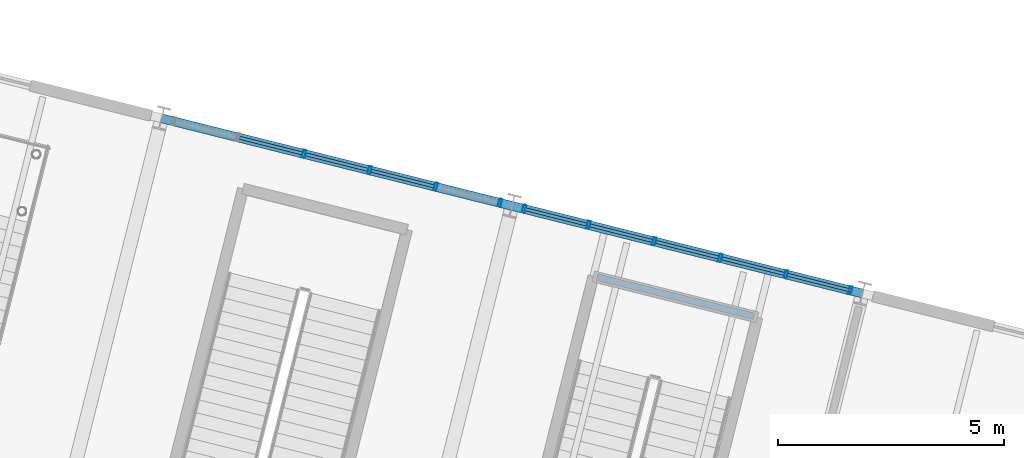
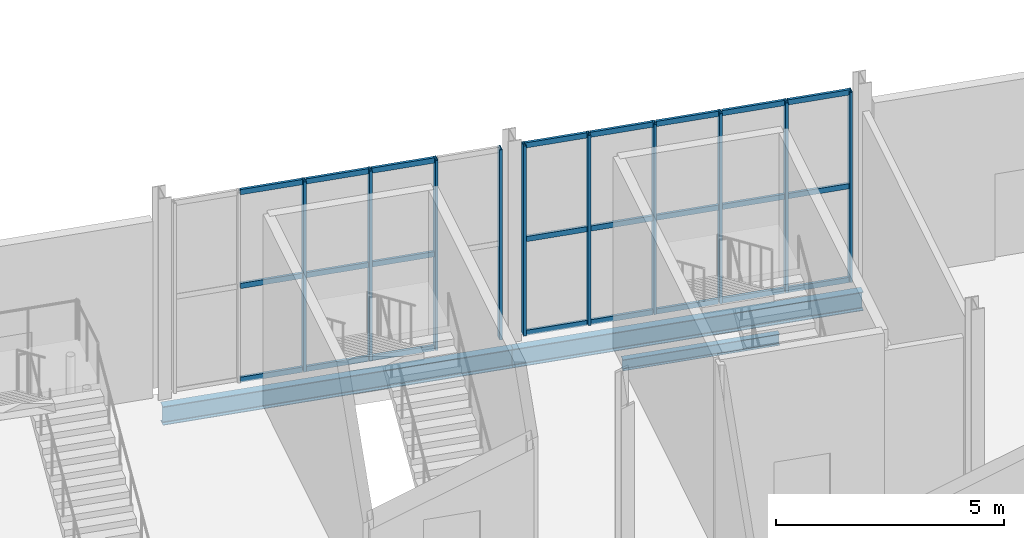
# One storey, part 102 of 158: 34 members, 3 beams, 2 elements without a shape of their own.
"""IFC4 building model written with IfcOpenShell, lengths in metres."""

from ifc_helpers import new_model, si_unit, derived_unit, direction, frame, origin, origin_2d, place, context, subcontext, project, spatial, hollow_rectangle, i_section, extrude, material, material_profile, profile_set, type_object, element, aggregate, save


model = new_model("IFC4")

# Units and contexts
model_context = context("Model", 3, precision=1e-05, world=origin(), true_north=direction((0.0, 1.0)))
body_context = subcontext(model_context, "Body", "Model", "MODEL_VIEW")
ifc_project = project(units=[si_unit("LENGTHUNIT", "METRE"), si_unit("AREAUNIT", "SQUARE_METRE"), si_unit("VOLUMEUNIT", "CUBIC_METRE"), si_unit("PLANEANGLEUNIT", "RADIAN"), si_unit("MASSUNIT", "GRAM", prefix="KILO"), si_unit("THERMODYNAMICTEMPERATUREUNIT", "KELVIN"), si_unit("TIMEUNIT", "SECOND"), derived_unit("THERMALTRANSMITTANCEUNIT", [(si_unit("MASSUNIT", "GRAM", prefix="KILO"), 1), (si_unit("THERMODYNAMICTEMPERATUREUNIT", "KELVIN"), -1), (si_unit("TIMEUNIT", "SECOND"), -3)])], contexts=[model_context])

# Site, building, storey
site_placement = place(None, origin())
site = spatial("IfcSite", under=ifc_project, at=site_placement, CompositionType="ELEMENT")
building_placement = place(site_placement, origin())
building = spatial("IfcBuilding", under=site, at=building_placement, Name="Cambertide Market Hall", CompositionType="ELEMENT")
storey_placement = place(building_placement, origin())
storey = spatial("IfcBuildingStorey", under=building, at=storey_placement, Name="L01", CompositionType="ELEMENT", Elevation=0.0)

# Curtain wall, members
ifc_material_1 = material(Name="Marine Anodized Aluminium 6063-T6 AA25", Category="aluminium")
curtain_wall_type = type_object("IfcCurtainWallType", Name="Cooking School Ground Showcase Wall", PredefinedType="USERDEFINED", material=ifc_material_1)
curtain_wall_1_placement = place(storey_placement, origin())
curtain_wall_1 = element("IfcCurtainWall", 1, at=curtain_wall_1_placement, inside=storey, type_object=curtain_wall_type, Name="Level 1 Curtain Wall CW-V4N-L01-4", ObjectType="UNITIZED CURTAIN WALL", PredefinedType="USERDEFINED")
ifc_material_2 = material(Name="Champagne Marine Anodized Aluminium 6063-T6 AA25", Category="aluminium")
ifc_material_profile_1 = material_profile(ifc_material_2, hollow_rectangle(XDim=0.06494140625, YDim=0.179931640625, WallThickness=0.00390625, at=origin_2d()), Name="ALU MULLION 65x180")
ifc_profile_set_1 = profile_set([ifc_material_profile_1], Name="Champagne Marine Anodized Aluminium 6063-T6 AA25")
member_type_1 = type_object("IfcMemberType", Name="Curtain Wall Mullion ALU MULLION 65x180", PredefinedType="MULLION", material=ifc_profile_set_1)
member_1_placement = place(storey_placement, frame((140.98291015625, 119.585205078125, 0.0), z_axis=(0.0, 0.0, 1.0), x_axis=(0.970142500145, -0.242535625038, 0.0)))
member_1 = element("IfcMember", 2, at=member_1_placement, type_object=member_type_1, Name="CW-V4N-L01-4 Mullion 3", PredefinedType="MULLION", context=body_context, shape_type="SweptSolid", body=[
    extrude(hollow_rectangle(XDim=0.06494140625, YDim=0.179931640625, WallThickness=0.00390625, at=origin_2d()), origin(), (0.0, 0.0, 1.0), 5.10009765625),
])
member_2_placement = place(storey_placement, frame((142.44189453125, 119.220458984375, 0.0), z_axis=(0.0, 0.0, 1.0), x_axis=(0.970142500145, -0.242535625038, 0.0)))
member_2 = element("IfcMember", 3, at=member_2_placement, type_object=member_type_1, Name="CW-V4N-L01-4 Mullion 4", PredefinedType="MULLION", context=body_context, shape_type="SweptSolid", body=[
    extrude(hollow_rectangle(XDim=0.06494140625, YDim=0.179931640625, WallThickness=0.00390625, at=origin_2d()), origin(), (0.0, 0.0, 1.0), 5.10009765625),
])
member_3_placement = place(storey_placement, frame((143.901123046875, 118.855712890625, 0.0), z_axis=(0.0, 0.0, 1.0), x_axis=(0.970142500145, -0.242535625038, 0.0)))
member_3 = element("IfcMember", 4, at=member_3_placement, type_object=member_type_1, Name="CW-V4N-L01-4 Mullion 5", PredefinedType="MULLION", context=body_context, shape_type="SweptSolid", body=[
    extrude(hollow_rectangle(XDim=0.06494140625, YDim=0.179931640625, WallThickness=0.00390625, at=origin_2d()), origin(), (0.0, 0.0, 1.0), 5.10009765625),
])
member_4_placement = place(storey_placement, frame((145.326171875, 118.49951171875, 0.0), z_axis=(0.0, 0.0, 1.0), x_axis=(0.970142500145, -0.242535625038, 0.0)))
member_4 = element("IfcMember", 5, at=member_4_placement, type_object=member_type_1, Name="CW-V4N-L01-4 Mullion 6", PredefinedType="MULLION", context=body_context, shape_type="SweptSolid", body=[
    extrude(hollow_rectangle(XDim=0.06494140625, YDim=0.179931640625, WallThickness=0.00390625, at=origin_2d()), origin(), (0.0, 0.0, 1.0), 5.10009765625),
])

curtain_wall_2_placement = place(storey_placement, origin())
curtain_wall_2 = element("IfcCurtainWall", 6, at=curtain_wall_2_placement, inside=storey, type_object=curtain_wall_type, Name="Level 1 Curtain Wall CW-V4N-L01-5", ObjectType="UNITIZED CURTAIN WALL", PredefinedType="USERDEFINED")
member_5_placement = place(storey_placement, frame((145.85986328125, 118.365966796875, 0.0), z_axis=(0.0, 0.0, 1.0), x_axis=(0.970142500145, -0.242535625038, 0.0)))
member_5 = element("IfcMember", 7, at=member_5_placement, type_object=member_type_1, Name="CW-V4N-L01-5 Mullion 1", PredefinedType="MULLION", context=body_context, shape_type="SweptSolid", body=[
    extrude(hollow_rectangle(XDim=0.06494140625, YDim=0.179931640625, WallThickness=0.00390625, at=origin_2d()), origin(), (0.0, 0.0, 1.0), 5.10009765625),
])
member_6_placement = place(storey_placement, frame((147.284912109375, 118.009765625, 0.0), z_axis=(0.0, 0.0, 1.0), x_axis=(0.970142500145, -0.242535625038, 0.0)))
member_6 = element("IfcMember", 8, at=member_6_placement, type_object=member_type_1, Name="CW-V4N-L01-5 Mullion 2", PredefinedType="MULLION", context=body_context, shape_type="SweptSolid", body=[
    extrude(hollow_rectangle(XDim=0.06494140625, YDim=0.179931640625, WallThickness=0.00390625, at=origin_2d()), origin(), (0.0, 0.0, 1.0), 5.10009765625),
])
member_7_placement = place(storey_placement, frame((148.744140625, 117.64501953125, 0.0), z_axis=(0.0, 0.0, 1.0), x_axis=(0.970142500145, -0.242535625038, 0.0)))
member_7 = element("IfcMember", 9, at=member_7_placement, type_object=member_type_1, Name="CW-V4N-L01-5 Mullion 3", PredefinedType="MULLION", context=body_context, shape_type="SweptSolid", body=[
    extrude(hollow_rectangle(XDim=0.06494140625, YDim=0.179931640625, WallThickness=0.00390625, at=origin_2d()), origin(), (0.0, 0.0, 1.0), 5.10009765625),
])
member_8_placement = place(storey_placement, frame((150.203125, 117.2802734375, 0.0), z_axis=(0.0, 0.0, 1.0), x_axis=(0.970142500145, -0.242535625038, 0.0)))
member_8 = element("IfcMember", 10, at=member_8_placement, type_object=member_type_1, Name="CW-V4N-L01-5 Mullion 4", PredefinedType="MULLION", context=body_context, shape_type="SweptSolid", body=[
    extrude(hollow_rectangle(XDim=0.06494140625, YDim=0.179931640625, WallThickness=0.00390625, at=origin_2d()), origin(), (0.0, 0.0, 1.0), 5.10009765625),
])
member_9_placement = place(storey_placement, frame((151.662353515625, 116.915283203125, 0.0), z_axis=(0.0, 0.0, 1.0), x_axis=(0.970142500145, -0.242535625038, 0.0)))
member_9 = element("IfcMember", 11, at=member_9_placement, type_object=member_type_1, Name="CW-V4N-L01-5 Mullion 5", PredefinedType="MULLION", context=body_context, shape_type="SweptSolid", body=[
    extrude(hollow_rectangle(XDim=0.06494140625, YDim=0.179931640625, WallThickness=0.00390625, at=origin_2d()), origin(), (0.0, 0.0, 1.0), 5.10009765625),
])
member_10_placement = place(storey_placement, frame((153.08740234375, 116.55908203125, 0.0), z_axis=(0.0, 0.0, 1.0), x_axis=(0.970142500145, -0.242535625038, 0.0)))
member_10 = element("IfcMember", 12, at=member_10_placement, type_object=member_type_1, Name="CW-V4N-L01-5 Mullion 6", PredefinedType="MULLION", context=body_context, shape_type="SweptSolid", body=[
    extrude(hollow_rectangle(XDim=0.06494140625, YDim=0.179931640625, WallThickness=0.00390625, at=origin_2d()), origin(), (0.0, 0.0, 1.0), 5.10009765625),
])

# Member
ifc_material_3 = material(Name="Champagne Marine Anodized Aluminium 6063-T6 AA25", Category="aluminium")
ifc_material_profile_2 = material_profile(ifc_material_3, hollow_rectangle(XDim=0.06494140625, YDim=0.139892578125, WallThickness=0.00341796875, at=origin_2d()), Name="ALU TRANSOM 65x140")
ifc_profile_set_2 = profile_set([ifc_material_profile_2], Name="Champagne Marine Anodized Aluminium 6063-T6 AA25")
member_type_2 = type_object("IfcMemberType", Name="Curtain Wall Transom ALU TRANSOM 65x140", PredefinedType="USERDEFINED", material=ifc_profile_set_2)
member_11_placement = place(storey_placement, frame((139.5625, 119.9404296875, 0.034912109375), z_axis=(0.970132415085, -0.242575961715, 0.0), x_axis=(0.242575961715, 0.970132415085, 0.0)))
member_11 = element("IfcMember", 13, at=member_11_placement, type_object=member_type_2, Name="CW-V4N-L01-4 Transom 1-2", ObjectType="TRANSOM", PredefinedType="USERDEFINED", context=body_context, shape_type="SweptSolid", body=[
    extrude(hollow_rectangle(XDim=0.06494140625, YDim=0.139892578125, WallThickness=0.00341796875, at=origin_2d()), origin(), (0.0, 0.0, 1.0), 1.424072265625),
])

member_12_placement = place(storey_placement, frame((141.021728515625, 119.575439453125, 0.034912109375), z_axis=(0.970162669427, -0.242454933646, 0.0), x_axis=(0.242454933646, 0.970162669427, 0.0)))
member_12 = element("IfcMember", 14, at=member_12_placement, type_object=member_type_2, Name="CW-V4N-L01-4 Transom 1-3", ObjectType="TRANSOM", PredefinedType="USERDEFINED", context=body_context, shape_type="SweptSolid", body=[
    extrude(hollow_rectangle(XDim=0.06494140625, YDim=0.139892578125, WallThickness=0.00341796875, at=origin_2d()), origin(), (0.0, 0.0, 1.0), 1.423828125),
])

member_13_placement = place(storey_placement, frame((142.480712890625, 119.210693359375, 0.034912109375), z_axis=(0.970172746521, -0.242414607454, 0.0), x_axis=(0.242414607454, 0.970172746521, 0.0)))
member_13 = element("IfcMember", 15, at=member_13_placement, type_object=member_type_2, Name="CW-V4N-L01-4 Transom 1-4", ObjectType="TRANSOM", PredefinedType="USERDEFINED", context=body_context, shape_type="SweptSolid", body=[
    extrude(hollow_rectangle(XDim=0.06494140625, YDim=0.139892578125, WallThickness=0.00341796875, at=origin_2d()), origin(), (0.0, 0.0, 1.0), 1.424072265625),
])

member_14_placement = place(storey_placement, frame((139.5625, 119.9404296875, 2.550048828125), z_axis=(0.970132415085, -0.242575961715, 0.0), x_axis=(0.242575961715, 0.970132415085, 0.0)))
member_14 = element("IfcMember", 16, at=member_14_placement, type_object=member_type_2, Name="CW-V4N-L01-4 Transom 2-2", ObjectType="TRANSOM", PredefinedType="USERDEFINED", context=body_context, shape_type="SweptSolid", body=[
    extrude(hollow_rectangle(XDim=0.06494140625, YDim=0.139892578125, WallThickness=0.00341796875, at=origin_2d()), origin(), (0.0, 0.0, 1.0), 1.424072265625),
])

member_15_placement = place(storey_placement, frame((141.021728515625, 119.575439453125, 2.550048828125), z_axis=(0.970162669427, -0.242454933646, 0.0), x_axis=(0.242454933646, 0.970162669427, 0.0)))
member_15 = element("IfcMember", 17, at=member_15_placement, type_object=member_type_2, Name="CW-V4N-L01-4 Transom 2-3", ObjectType="TRANSOM", PredefinedType="USERDEFINED", context=body_context, shape_type="SweptSolid", body=[
    extrude(hollow_rectangle(XDim=0.06494140625, YDim=0.139892578125, WallThickness=0.00341796875, at=origin_2d()), origin(), (0.0, 0.0, 1.0), 1.423828125),
])

member_16_placement = place(storey_placement, frame((142.480712890625, 119.210693359375, 2.550048828125), z_axis=(0.970172746521, -0.242414607454, 0.0), x_axis=(0.242414607454, 0.970172746521, 0.0)))
member_16 = element("IfcMember", 18, at=member_16_placement, type_object=member_type_2, Name="CW-V4N-L01-4 Transom 2-4", ObjectType="TRANSOM", PredefinedType="USERDEFINED", context=body_context, shape_type="SweptSolid", body=[
    extrude(hollow_rectangle(XDim=0.06494140625, YDim=0.139892578125, WallThickness=0.00341796875, at=origin_2d()), origin(), (0.0, 0.0, 1.0), 1.424072265625),
])

member_17_placement = place(storey_placement, frame((139.5625, 119.9404296875, 5.06494140625), z_axis=(0.970132415085, -0.242575961715, 0.0), x_axis=(0.242575961715, 0.970132415085, 0.0)))
member_17 = element("IfcMember", 19, at=member_17_placement, type_object=member_type_2, Name="CW-V4N-L01-4 Transom 3-2", ObjectType="TRANSOM", PredefinedType="USERDEFINED", context=body_context, shape_type="SweptSolid", body=[
    extrude(hollow_rectangle(XDim=0.06494140625, YDim=0.139892578125, WallThickness=0.00341796875, at=origin_2d()), origin(), (0.0, 0.0, 1.0), 1.424072265625),
])

member_18_placement = place(storey_placement, frame((141.021728515625, 119.575439453125, 5.06494140625), z_axis=(0.970162669427, -0.242454933646, 0.0), x_axis=(0.242454933646, 0.970162669427, 0.0)))
member_18 = element("IfcMember", 20, at=member_18_placement, type_object=member_type_2, Name="CW-V4N-L01-4 Transom 3-3", ObjectType="TRANSOM", PredefinedType="USERDEFINED", context=body_context, shape_type="SweptSolid", body=[
    extrude(hollow_rectangle(XDim=0.06494140625, YDim=0.139892578125, WallThickness=0.00341796875, at=origin_2d()), origin(), (0.0, 0.0, 1.0), 1.423828125),
])

member_19_placement = place(storey_placement, frame((142.480712890625, 119.210693359375, 5.06494140625), z_axis=(0.970172746521, -0.242414607454, 0.0), x_axis=(0.242414607454, 0.970172746521, 0.0)))
member_19 = element("IfcMember", 21, at=member_19_placement, type_object=member_type_2, Name="CW-V4N-L01-4 Transom 3-4", ObjectType="TRANSOM", PredefinedType="USERDEFINED", context=body_context, shape_type="SweptSolid", body=[
    extrude(hollow_rectangle(XDim=0.06494140625, YDim=0.139892578125, WallThickness=0.00341796875, at=origin_2d()), origin(), (0.0, 0.0, 1.0), 1.424072265625),
])

aggregate(curtain_wall_1, [member_1, member_2, member_3, member_4, member_11, member_12, member_13, member_14, member_15, member_16, member_17, member_18, member_19])

member_20_placement = place(storey_placement, frame((145.86474609375, 118.36474609375, 0.034912109375), z_axis=(0.970162669427, -0.242454933646, 0.0), x_axis=(0.242454933646, 0.970162669427, 0.0)))
member_20 = element("IfcMember", 22, at=member_20_placement, type_object=member_type_2, Name="CW-V4N-L01-5 Transom 1-1", ObjectType="TRANSOM", PredefinedType="USERDEFINED", context=body_context, shape_type="SweptSolid", body=[
    extrude(hollow_rectangle(XDim=0.06494140625, YDim=0.139892578125, WallThickness=0.00341796875, at=origin_2d()), origin(), (0.0, 0.0, 1.0), 1.423828125),
])

member_21_placement = place(storey_placement, frame((147.32373046875, 118.0, 0.034912109375), z_axis=(0.970132415085, -0.242575961715, 0.0), x_axis=(0.242575961715, 0.970132415085, 0.0)))
member_21 = element("IfcMember", 23, at=member_21_placement, type_object=member_type_2, Name="CW-V4N-L01-5 Transom 1-2", ObjectType="TRANSOM", PredefinedType="USERDEFINED", context=body_context, shape_type="SweptSolid", body=[
    extrude(hollow_rectangle(XDim=0.06494140625, YDim=0.139892578125, WallThickness=0.00341796875, at=origin_2d()), origin(), (0.0, 0.0, 1.0), 1.424072265625),
])

member_22_placement = place(storey_placement, frame((148.782958984375, 117.63525390625, 0.034912109375), z_axis=(0.970122324991, -0.242616311393, 0.0), x_axis=(0.242616311393, 0.970122324991, 0.0)))
member_22 = element("IfcMember", 24, at=member_22_placement, type_object=member_type_2, Name="CW-V4N-L01-5 Transom 1-3", ObjectType="TRANSOM", PredefinedType="USERDEFINED", context=body_context, shape_type="SweptSolid", body=[
    extrude(hollow_rectangle(XDim=0.06494140625, YDim=0.139892578125, WallThickness=0.00341796875, at=origin_2d()), origin(), (0.0, 0.0, 1.0), 1.423828125),
])

member_23_placement = place(storey_placement, frame((150.241943359375, 117.2705078125, 0.034912109375), z_axis=(0.970132415085, -0.242575961715, 0.0), x_axis=(0.242575961715, 0.970132415085, 0.0)))
member_23 = element("IfcMember", 25, at=member_23_placement, type_object=member_type_2, Name="CW-V4N-L01-5 Transom 1-4", ObjectType="TRANSOM", PredefinedType="USERDEFINED", context=body_context, shape_type="SweptSolid", body=[
    extrude(hollow_rectangle(XDim=0.06494140625, YDim=0.139892578125, WallThickness=0.00341796875, at=origin_2d()), origin(), (0.0, 0.0, 1.0), 1.424072265625),
])

member_24_placement = place(storey_placement, frame((151.700927734375, 116.90576171875, 0.034912109375), z_axis=(0.970132415085, -0.242575961715, 0.0), x_axis=(0.242575961715, 0.970132415085, 0.0)))
member_24 = element("IfcMember", 26, at=member_24_placement, type_object=member_type_2, Name="CW-V4N-L01-5 Transom 1-5", ObjectType="TRANSOM", PredefinedType="USERDEFINED", context=body_context, shape_type="SweptSolid", body=[
    extrude(hollow_rectangle(XDim=0.06494140625, YDim=0.139892578125, WallThickness=0.00341796875, at=origin_2d()), origin(), (0.0, 0.0, 1.0), 1.424072265625),
])

member_25_placement = place(storey_placement, frame((145.86474609375, 118.36474609375, 2.550048828125), z_axis=(0.970162669427, -0.242454933646, 0.0), x_axis=(0.242454933646, 0.970162669427, 0.0)))
member_25 = element("IfcMember", 27, at=member_25_placement, type_object=member_type_2, Name="CW-V4N-L01-5 Transom 2-1", ObjectType="TRANSOM", PredefinedType="USERDEFINED", context=body_context, shape_type="SweptSolid", body=[
    extrude(hollow_rectangle(XDim=0.06494140625, YDim=0.139892578125, WallThickness=0.00341796875, at=origin_2d()), origin(), (0.0, 0.0, 1.0), 1.423828125),
])

member_26_placement = place(storey_placement, frame((147.32373046875, 118.0, 2.550048828125), z_axis=(0.970132415085, -0.242575961715, 0.0), x_axis=(0.242575961715, 0.970132415085, 0.0)))
member_26 = element("IfcMember", 28, at=member_26_placement, type_object=member_type_2, Name="CW-V4N-L01-5 Transom 2-2", ObjectType="TRANSOM", PredefinedType="USERDEFINED", context=body_context, shape_type="SweptSolid", body=[
    extrude(hollow_rectangle(XDim=0.06494140625, YDim=0.139892578125, WallThickness=0.00341796875, at=origin_2d()), origin(), (0.0, 0.0, 1.0), 1.424072265625),
])

member_27_placement = place(storey_placement, frame((148.782958984375, 117.63525390625, 2.550048828125), z_axis=(0.970122324991, -0.242616311393, 0.0), x_axis=(0.242616311393, 0.970122324991, 0.0)))
member_27 = element("IfcMember", 29, at=member_27_placement, type_object=member_type_2, Name="CW-V4N-L01-5 Transom 2-3", ObjectType="TRANSOM", PredefinedType="USERDEFINED", context=body_context, shape_type="SweptSolid", body=[
    extrude(hollow_rectangle(XDim=0.06494140625, YDim=0.139892578125, WallThickness=0.00341796875, at=origin_2d()), origin(), (0.0, 0.0, 1.0), 1.423828125),
])

member_28_placement = place(storey_placement, frame((150.241943359375, 117.2705078125, 2.550048828125), z_axis=(0.970132415085, -0.242575961715, 0.0), x_axis=(0.242575961715, 0.970132415085, 0.0)))
member_28 = element("IfcMember", 30, at=member_28_placement, type_object=member_type_2, Name="CW-V4N-L01-5 Transom 2-4", ObjectType="TRANSOM", PredefinedType="USERDEFINED", context=body_context, shape_type="SweptSolid", body=[
    extrude(hollow_rectangle(XDim=0.06494140625, YDim=0.139892578125, WallThickness=0.00341796875, at=origin_2d()), origin(), (0.0, 0.0, 1.0), 1.424072265625),
])

member_29_placement = place(storey_placement, frame((151.700927734375, 116.90576171875, 2.550048828125), z_axis=(0.970132415085, -0.242575961715, 0.0), x_axis=(0.242575961715, 0.970132415085, 0.0)))
member_29 = element("IfcMember", 31, at=member_29_placement, type_object=member_type_2, Name="CW-V4N-L01-5 Transom 2-5", ObjectType="TRANSOM", PredefinedType="USERDEFINED", context=body_context, shape_type="SweptSolid", body=[
    extrude(hollow_rectangle(XDim=0.06494140625, YDim=0.139892578125, WallThickness=0.00341796875, at=origin_2d()), origin(), (0.0, 0.0, 1.0), 1.424072265625),
])

member_30_placement = place(storey_placement, frame((145.86474609375, 118.36474609375, 5.06494140625), z_axis=(0.970162669427, -0.242454933646, 0.0), x_axis=(0.242454933646, 0.970162669427, 0.0)))
member_30 = element("IfcMember", 32, at=member_30_placement, type_object=member_type_2, Name="CW-V4N-L01-5 Transom 3-1", ObjectType="TRANSOM", PredefinedType="USERDEFINED", context=body_context, shape_type="SweptSolid", body=[
    extrude(hollow_rectangle(XDim=0.06494140625, YDim=0.139892578125, WallThickness=0.00341796875, at=origin_2d()), origin(), (0.0, 0.0, 1.0), 1.423828125),
])

member_31_placement = place(storey_placement, frame((147.32373046875, 118.0, 5.06494140625), z_axis=(0.970132415085, -0.242575961715, 0.0), x_axis=(0.242575961715, 0.970132415085, 0.0)))
member_31 = element("IfcMember", 33, at=member_31_placement, type_object=member_type_2, Name="CW-V4N-L01-5 Transom 3-2", ObjectType="TRANSOM", PredefinedType="USERDEFINED", context=body_context, shape_type="SweptSolid", body=[
    extrude(hollow_rectangle(XDim=0.06494140625, YDim=0.139892578125, WallThickness=0.00341796875, at=origin_2d()), origin(), (0.0, 0.0, 1.0), 1.424072265625),
])

member_32_placement = place(storey_placement, frame((148.782958984375, 117.63525390625, 5.06494140625), z_axis=(0.970122324991, -0.242616311393, 0.0), x_axis=(0.242616311393, 0.970122324991, 0.0)))
member_32 = element("IfcMember", 34, at=member_32_placement, type_object=member_type_2, Name="CW-V4N-L01-5 Transom 3-3", ObjectType="TRANSOM", PredefinedType="USERDEFINED", context=body_context, shape_type="SweptSolid", body=[
    extrude(hollow_rectangle(XDim=0.06494140625, YDim=0.139892578125, WallThickness=0.00341796875, at=origin_2d()), origin(), (0.0, 0.0, 1.0), 1.423828125),
])

member_33_placement = place(storey_placement, frame((150.241943359375, 117.2705078125, 5.06494140625), z_axis=(0.970132415085, -0.242575961715, 0.0), x_axis=(0.242575961715, 0.970132415085, 0.0)))
member_33 = element("IfcMember", 35, at=member_33_placement, type_object=member_type_2, Name="CW-V4N-L01-5 Transom 3-4", ObjectType="TRANSOM", PredefinedType="USERDEFINED", context=body_context, shape_type="SweptSolid", body=[
    extrude(hollow_rectangle(XDim=0.06494140625, YDim=0.139892578125, WallThickness=0.00341796875, at=origin_2d()), origin(), (0.0, 0.0, 1.0), 1.424072265625),
])

member_34_placement = place(storey_placement, frame((151.700927734375, 116.90576171875, 5.06494140625), z_axis=(0.970132415085, -0.242575961715, 0.0), x_axis=(0.242575961715, 0.970132415085, 0.0)))
member_34 = element("IfcMember", 36, at=member_34_placement, type_object=member_type_2, Name="CW-V4N-L01-5 Transom 3-5", ObjectType="TRANSOM", PredefinedType="USERDEFINED", context=body_context, shape_type="SweptSolid", body=[
    extrude(hollow_rectangle(XDim=0.06494140625, YDim=0.139892578125, WallThickness=0.00341796875, at=origin_2d()), origin(), (0.0, 0.0, 1.0), 1.424072265625),
])

aggregate(curtain_wall_2, [member_5, member_6, member_7, member_8, member_9, member_10, member_20, member_21, member_22, member_23, member_24, member_25, member_26, member_27, member_28, member_29, member_30, member_31, member_32, member_33, member_34])

# Beams
ifc_material_4 = material(Name="Steel S355", Category="steel")
ifc_material_profile_3 = material_profile(ifc_material_4, i_section(OverallWidth=0.199951171875, OverallDepth=0.5, WebThickness=0.01025390625, FlangeThickness=0.01611328125, FilletRadius=0.02099609375, at=origin_2d()), Name="IPE 500")
ifc_profile_set_3 = profile_set([ifc_material_profile_3], Name="Steel S355")
beam_type_1 = type_object("IfcBeamType", Name="Steel Girder IPE 500", PredefinedType="BEAM", material=ifc_profile_set_3)
beam_1_placement = place(storey_placement, frame((137.831787109375, 120.373046875, -0.550048828125), z_axis=(0.970138909791, -0.242549986002, 0.0), x_axis=(0.242549986002, 0.970138909791, 0.0)))
element("IfcBeam", 37, at=beam_1_placement, inside=storey, type_object=beam_type_1, Name="Level 1 Beam BM-V4U-L01-4-4", PredefinedType="BEAM", context=body_context, shape_type="SweptSolid", body=[
    extrude(i_section(OverallWidth=0.199951171875, OverallDepth=0.5, WebThickness=0.01025390625, FlangeThickness=0.01611328125, FilletRadius=0.02099609375, at=origin_2d()), origin(), (0.0, 0.0, 1.0), 8.000244140625),
])
beam_2_placement = place(storey_placement, frame((145.593017578125, 118.4326171875, -0.550048828125), z_axis=(0.970146090314, -0.242521263911, 0.0), x_axis=(0.242521263911, 0.970146090314, 0.0)))
element("IfcBeam", 38, at=beam_2_placement, inside=storey, type_object=beam_type_1, Name="Level 1 Beam BM-V4U-L01-5-4", PredefinedType="BEAM", context=body_context, shape_type="SweptSolid", body=[
    extrude(i_section(OverallWidth=0.199951171875, OverallDepth=0.5, WebThickness=0.01025390625, FlangeThickness=0.01611328125, FilletRadius=0.02099609375, at=origin_2d()), origin(), (0.0, 0.0, 1.0), 8.0),
])
ifc_material_5 = material(Name="Steel S275", Category="steel")
ifc_material_profile_4 = material_profile(ifc_material_5, i_section(OverallWidth=0.14990234375, OverallDepth=0.300048828125, WebThickness=0.007080078125, FlangeThickness=0.0107421875, FilletRadius=0.014892578125, at=origin_2d()), Name="IPE 300")
ifc_profile_set_4 = profile_set([ifc_material_profile_4], Name="Steel S275")
beam_type_2 = type_object("IfcBeamType", Name="Steel Secondary Joist IPE 300", PredefinedType="JOIST", material=ifc_profile_set_4)
beam_3_placement = place(storey_placement, frame((147.474365234375, 116.854248046875, -0.449951171875), z_axis=(0.970150513613, -0.242503568913, 0.0), x_axis=(0.242503568913, 0.970150513613, 0.0)))
element("IfcBeam", 39, at=beam_3_placement, inside=storey, type_object=beam_type_2, Name="Level 1 Joist BM-ST09-SHWF", PredefinedType="JOIST", context=body_context, shape_type="SweptSolid", body=[
    extrude(i_section(OverallWidth=0.14990234375, OverallDepth=0.300048828125, WebThickness=0.007080078125, FlangeThickness=0.0107421875, FilletRadius=0.014892578125, at=origin_2d()), origin(), (0.0, 0.0, 1.0), 3.583984375),
])

save(model, "model.ifc")
